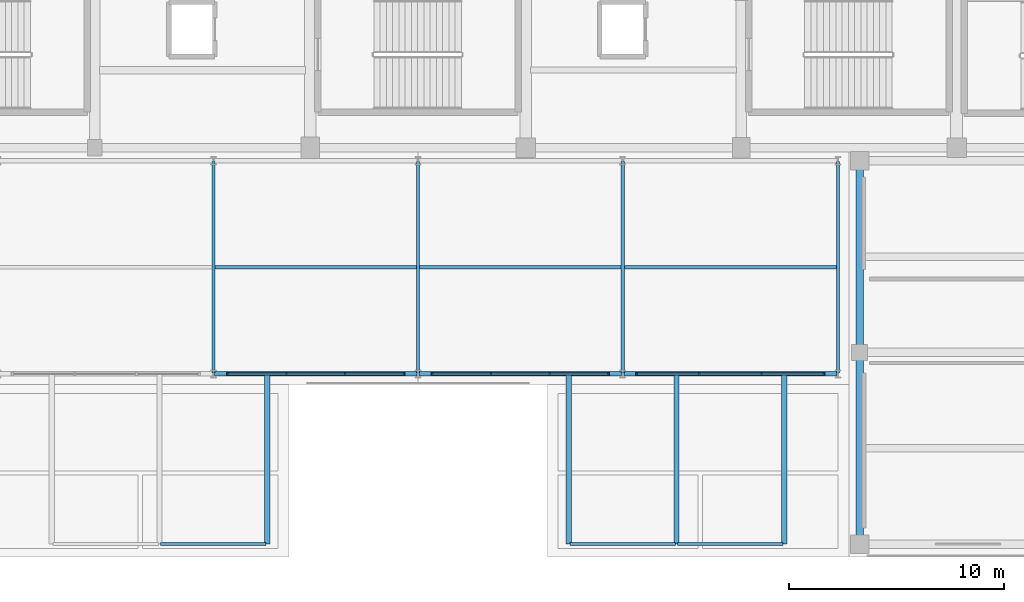
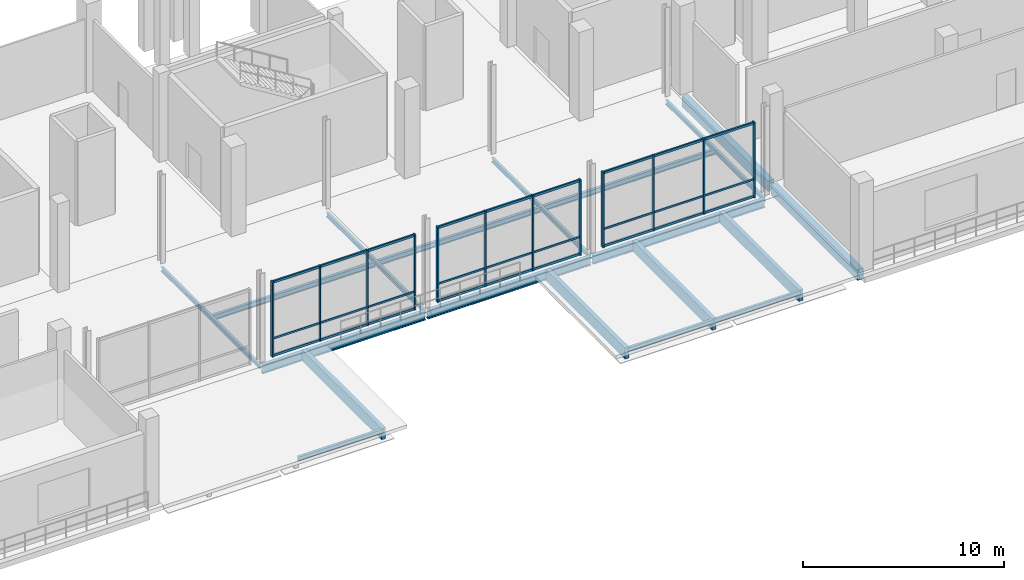
# One storey, part 23 of 114: 25 members, 15 beams, 3 elements without a shape of their own.
"""IFC4 building model written with IfcOpenShell, lengths in metres."""

from ifc_helpers import new_model, si_unit, direction, frame, origin, origin_2d, place, context, subcontext, project, spatial, rectangle, i_section, extrude, material, material_profile, profile_set, type_object, element, aggregate, save


model = new_model("IFC4")

# Units and contexts
model_context = context("Model", 3, precision=1e-05, world=origin(), true_north=direction((0.0, 1.0)))
body_context = subcontext(model_context, "Body", "Model", "MODEL_VIEW")
ifc_project = project(units=[si_unit("LENGTHUNIT", "METRE"), si_unit("AREAUNIT", "SQUARE_METRE"), si_unit("VOLUMEUNIT", "CUBIC_METRE"), si_unit("PLANEANGLEUNIT", "RADIAN"), si_unit("MASSUNIT", "GRAM", prefix="KILO")], contexts=[model_context])

# Site, building, storey
site_placement = place(None, origin())
site = spatial("IfcSite", under=ifc_project, at=site_placement, CompositionType="ELEMENT")
building_placement = place(site_placement, origin())
building = spatial("IfcBuilding", under=site, at=building_placement, Name="Candeia Ridge Stadium", CompositionType="ELEMENT")
storey_placement = place(building_placement, frame((0.0, 0.0, 5.39990234375)))
storey = spatial("IfcBuildingStorey", under=building, at=storey_placement, Name="L01", CompositionType="ELEMENT", Elevation=5.39990234375)

# Beams
ifc_material_1 = material(Name="Steel ASTM A572 Grade 50", Category="steel")
ifc_material_profile_1 = material_profile(ifc_material_1, i_section(OverallWidth=0.14794921875, OverallDepth=0.26611328125, WebThickness=0.007568359375, FlangeThickness=0.012939453125, FilletRadius=0.010986328125, at=origin_2d()), Name="W250x44.8", Category="steel")
ifc_profile_set_1 = profile_set([ifc_material_profile_1], Name="Steel ASTM A572 Grade 50")
beam_type_1 = type_object("IfcBeamType", Name="Canopy Edge Spandrel W250x44.8", PredefinedType="SPANDREL", material=ifc_profile_set_1)
for number, where, z_axis, x_axis, name in (
    (1, (96.5, 8.550048828125, -0.392822265625), (0.0, 1.0, 0.0), (-1.0, 0.0, 0.0), "Structural girder BM-L01-2019"),
    (2, (106.0, 8.550048828125, -0.392822265625), (0.0, 1.0, 0.0), (-1.0, 0.0, 0.0), "Structural girder BM-L01-2020"),
    (3, (115.5, 8.550048828125, -0.392822265625), (0.0, 1.0, 0.0), (-1.0, 0.0, 0.0), "Structural girder BM-L01-2021"),
    (4, (125.5, 8.550048828125, -0.392822265625), (0.0, 1.0, 0.0), (-1.0, 0.0, 0.0), "Structural girder BM-L01-2022"),
):
    element("IfcBeam", number, at=place(storey_placement, frame(where, z_axis=z_axis, x_axis=x_axis)), inside=storey, type_object=beam_type_1, Name=name, PredefinedType="SPANDREL", context=body_context, shape_type="SweptSolid", body=[
        extrude(i_section(OverallWidth=0.14794921875, OverallDepth=0.26611328125, WebThickness=0.007568359375, FlangeThickness=0.012939453125, FilletRadius=0.010986328125, at=origin_2d()), origin(), (0.0, 0.0, 1.0), 9.800048828125),
    ])
for number, where, z_axis, x_axis, name in (
    (5, (94.050048828125, 0.60009765625, -0.3330078125), (1.0, 0.0, 0.0), (0.0, 1.0, 0.0), "Structural girder BM-L01-2554"),
    (6, (113.050048828125, 0.60009765625, -0.3330078125), (1.0, 0.0, 0.0), (0.0, 1.0, 0.0), "Structural girder BM-L01-2555"),
    (7, (118.050048828125, 0.60009765625, -0.3330078125), (1.0, 0.0, 0.0), (0.0, 1.0, 0.0), "Structural girder BM-L01-2556"),
):
    element("IfcBeam", number, at=place(storey_placement, frame(where, z_axis=z_axis, x_axis=x_axis)), inside=storey, type_object=beam_type_1, Name=name, PredefinedType="SPANDREL", context=body_context, shape_type="SweptSolid", body=[
        extrude(i_section(OverallWidth=0.14794921875, OverallDepth=0.26611328125, WebThickness=0.007568359375, FlangeThickness=0.012939453125, FilletRadius=0.010986328125, at=origin_2d()), origin(), (0.0, 0.0, 1.0), 4.89990234375),
    ])

# Curtain wall, members
ifc_material_2 = material(Name="Aluminium Anodized Warm Bronze", Category="aluminium")
curtain_wall_type = type_object("IfcCurtainWallType", Name="Cardinal Entrance Gate Tall Glazed Curtain Wall", PredefinedType="NOTDEFINED", material=ifc_material_2)
curtain_wall_1_placement = place(storey_placement, origin())
curtain_wall_1 = element("IfcCurtainWall", 8, at=curtain_wall_1_placement, inside=storey, type_object=curtain_wall_type, Name="Unitised curtain wall CW-WNG-L01-118", PredefinedType="NOTDEFINED")
ifc_material_profile_2 = material_profile(ifc_material_2, rectangle(XDim=0.090087890625, YDim=0.179931640625, at=origin_2d()), Name="CWM-90x180", Category="aluminium")
ifc_profile_set_2 = profile_set([ifc_material_profile_2], Name="Aluminium Anodized Warm Bronze")
member_type_1 = type_object("IfcMemberType", Name="Curtain Wall Primary Mullion 90x180", PredefinedType="MULLION", material=ifc_profile_set_2)
member_1_placement = place(storey_placement, frame((97.159912109375, 8.5, 0.0), z_axis=(0.0, 0.0, 1.0), x_axis=(1.0, 0.0, 0.0)))
member_1 = element("IfcMember", 9, at=member_1_placement, type_object=member_type_1, Name="Curtain wall mullion CW-WNG-L01-118-M0", PredefinedType="MULLION", context=body_context, shape_type="SweptSolid", body=[
    extrude(rectangle(XDim=0.090087890625, YDim=0.179931640625, at=origin_2d()), origin(), (0.0, 0.0, 1.0), 4.592041015625),
])
member_2_placement = place(storey_placement, frame((105.340087890625, 8.5, 0.0), z_axis=(0.0, 0.0, 1.0), x_axis=(1.0, 0.0, 0.0)))
member_2 = element("IfcMember", 10, at=member_2_placement, type_object=member_type_1, Name="Curtain wall mullion CW-WNG-L01-118-M3", PredefinedType="MULLION", context=body_context, shape_type="SweptSolid", body=[
    extrude(rectangle(XDim=0.090087890625, YDim=0.179931640625, at=origin_2d()), origin(), (0.0, 0.0, 1.0), 4.592041015625),
])

curtain_wall_2_placement = place(storey_placement, origin())
curtain_wall_2 = element("IfcCurtainWall", 11, at=curtain_wall_2_placement, inside=storey, type_object=curtain_wall_type, Name="Unitised curtain wall CW-WNG-L01-119", PredefinedType="NOTDEFINED")
member_3_placement = place(storey_placement, frame((106.659912109375, 8.5, 0.0), z_axis=(0.0, 0.0, 1.0), x_axis=(1.0, 0.0, 0.0)))
member_3 = element("IfcMember", 12, at=member_3_placement, type_object=member_type_1, Name="Curtain wall mullion CW-WNG-L01-119-M0", PredefinedType="MULLION", context=body_context, shape_type="SweptSolid", body=[
    extrude(rectangle(XDim=0.090087890625, YDim=0.179931640625, at=origin_2d()), origin(), (0.0, 0.0, 1.0), 4.592041015625),
])
member_4_placement = place(storey_placement, frame((114.840087890625, 8.5, 0.0), z_axis=(0.0, 0.0, 1.0), x_axis=(1.0, 0.0, 0.0)))
member_4 = element("IfcMember", 13, at=member_4_placement, type_object=member_type_1, Name="Curtain wall mullion CW-WNG-L01-119-M3", PredefinedType="MULLION", context=body_context, shape_type="SweptSolid", body=[
    extrude(rectangle(XDim=0.090087890625, YDim=0.179931640625, at=origin_2d()), origin(), (0.0, 0.0, 1.0), 4.592041015625),
])

curtain_wall_3_placement = place(storey_placement, origin())
curtain_wall_3 = element("IfcCurtainWall", 14, at=curtain_wall_3_placement, inside=storey, type_object=curtain_wall_type, Name="Unitised curtain wall CW-WNG-L01-120", PredefinedType="NOTDEFINED")
member_5_placement = place(storey_placement, frame((116.159912109375, 8.5, 0.0), z_axis=(0.0, 0.0, 1.0), x_axis=(1.0, 0.0, 0.0)))
member_5 = element("IfcMember", 15, at=member_5_placement, type_object=member_type_1, Name="Curtain wall mullion CW-WNG-L01-120-M0", PredefinedType="MULLION", context=body_context, shape_type="SweptSolid", body=[
    extrude(rectangle(XDim=0.090087890625, YDim=0.179931640625, at=origin_2d()), origin(), (0.0, 0.0, 1.0), 4.592041015625),
])
member_6_placement = place(storey_placement, frame((124.840087890625, 8.5, 0.0), z_axis=(0.0, 0.0, 1.0), x_axis=(1.0, 0.0, 0.0)))
member_6 = element("IfcMember", 16, at=member_6_placement, type_object=member_type_1, Name="Curtain wall mullion CW-WNG-L01-120-M3", PredefinedType="MULLION", context=body_context, shape_type="SweptSolid", body=[
    extrude(rectangle(XDim=0.090087890625, YDim=0.179931640625, at=origin_2d()), origin(), (0.0, 0.0, 1.0), 4.592041015625),
])

# Member
ifc_material_profile_3 = material_profile(ifc_material_2, rectangle(XDim=0.074951171875, YDim=0.14990234375, at=origin_2d()), Name="CWM-75x150", Category="aluminium")
ifc_profile_set_3 = profile_set([ifc_material_profile_3], Name="Aluminium Anodized Warm Bronze")
member_type_2 = type_object("IfcMemberType", Name="Curtain Wall Secondary Mullion 75x150", PredefinedType="MULLION", material=ifc_profile_set_3)
member_7_placement = place(storey_placement, frame((99.88671875, 8.5, 0.0), z_axis=(0.0, 0.0, 1.0), x_axis=(1.0, 0.0, 0.0)))
member_7 = element("IfcMember", 17, at=member_7_placement, type_object=member_type_2, Name="Curtain wall mullion CW-WNG-L01-118-M1", PredefinedType="MULLION", context=body_context, shape_type="SweptSolid", body=[
    extrude(rectangle(XDim=0.074951171875, YDim=0.14990234375, at=origin_2d()), origin(), (0.0, 0.0, 1.0), 4.592041015625),
])

member_8_placement = place(storey_placement, frame((102.61328125, 8.5, 0.0), z_axis=(0.0, 0.0, 1.0), x_axis=(1.0, 0.0, 0.0)))
member_8 = element("IfcMember", 18, at=member_8_placement, type_object=member_type_2, Name="Curtain wall mullion CW-WNG-L01-118-M2", PredefinedType="MULLION", context=body_context, shape_type="SweptSolid", body=[
    extrude(rectangle(XDim=0.074951171875, YDim=0.14990234375, at=origin_2d()), origin(), (0.0, 0.0, 1.0), 4.592041015625),
])

member_9_placement = place(storey_placement, frame((109.38671875, 8.5, 0.0), z_axis=(0.0, 0.0, 1.0), x_axis=(1.0, 0.0, 0.0)))
member_9 = element("IfcMember", 19, at=member_9_placement, type_object=member_type_2, Name="Curtain wall mullion CW-WNG-L01-119-M1", PredefinedType="MULLION", context=body_context, shape_type="SweptSolid", body=[
    extrude(rectangle(XDim=0.074951171875, YDim=0.14990234375, at=origin_2d()), origin(), (0.0, 0.0, 1.0), 4.592041015625),
])

member_10_placement = place(storey_placement, frame((112.11328125, 8.5, 0.0), z_axis=(0.0, 0.0, 1.0), x_axis=(1.0, 0.0, 0.0)))
member_10 = element("IfcMember", 20, at=member_10_placement, type_object=member_type_2, Name="Curtain wall mullion CW-WNG-L01-119-M2", PredefinedType="MULLION", context=body_context, shape_type="SweptSolid", body=[
    extrude(rectangle(XDim=0.074951171875, YDim=0.14990234375, at=origin_2d()), origin(), (0.0, 0.0, 1.0), 4.592041015625),
])

member_11_placement = place(storey_placement, frame((119.05322265625, 8.5, 0.0), z_axis=(0.0, 0.0, 1.0), x_axis=(1.0, 0.0, 0.0)))
member_11 = element("IfcMember", 21, at=member_11_placement, type_object=member_type_2, Name="Curtain wall mullion CW-WNG-L01-120-M1", PredefinedType="MULLION", context=body_context, shape_type="SweptSolid", body=[
    extrude(rectangle(XDim=0.074951171875, YDim=0.14990234375, at=origin_2d()), origin(), (0.0, 0.0, 1.0), 4.592041015625),
])

member_12_placement = place(storey_placement, frame((121.94677734375, 8.5, 0.0), z_axis=(0.0, 0.0, 1.0), x_axis=(1.0, 0.0, 0.0)))
member_12 = element("IfcMember", 22, at=member_12_placement, type_object=member_type_2, Name="Curtain wall mullion CW-WNG-L01-120-M2", PredefinedType="MULLION", context=body_context, shape_type="SweptSolid", body=[
    extrude(rectangle(XDim=0.074951171875, YDim=0.14990234375, at=origin_2d()), origin(), (0.0, 0.0, 1.0), 4.592041015625),
])

ifc_material_profile_4 = material_profile(ifc_material_2, rectangle(XDim=0.074951171875, YDim=0.110107421875, at=origin_2d()), Name="CWT-75x110", Category="aluminium")
ifc_profile_set_4 = profile_set([ifc_material_profile_4], Name="Aluminium Anodized Warm Bronze")
member_type_3 = type_object("IfcMemberType", Name="Curtain Wall Secondary Transom 75x110", PredefinedType="USERDEFINED", material=ifc_profile_set_4)
member_13_placement = place(storey_placement, frame((97.159912109375, 8.5, 1.10009765625), z_axis=(1.0, 0.0, 0.0), x_axis=(0.0, 1.0, 0.0)))
member_13 = element("IfcMember", 23, at=member_13_placement, type_object=member_type_3, Name="Curtain wall transom CW-WNG-L01-118-T1", ObjectType="TRANSOM", PredefinedType="USERDEFINED", context=body_context, shape_type="SweptSolid", body=[
    extrude(rectangle(XDim=0.074951171875, YDim=0.110107421875, at=origin_2d()), origin(), (0.0, 0.0, 1.0), 8.18017578125),
])

member_14_placement = place(storey_placement, frame((106.659912109375, 8.5, 1.10009765625), z_axis=(1.0, 0.0, 0.0), x_axis=(0.0, 1.0, 0.0)))
member_14 = element("IfcMember", 24, at=member_14_placement, type_object=member_type_3, Name="Curtain wall transom CW-WNG-L01-119-T1", ObjectType="TRANSOM", PredefinedType="USERDEFINED", context=body_context, shape_type="SweptSolid", body=[
    extrude(rectangle(XDim=0.074951171875, YDim=0.110107421875, at=origin_2d()), origin(), (0.0, 0.0, 1.0), 8.18017578125),
])

member_15_placement = place(storey_placement, frame((116.159912109375, 8.5, 1.10009765625), z_axis=(1.0, 0.0, 0.0), x_axis=(0.0, 1.0, 0.0)))
member_15 = element("IfcMember", 25, at=member_15_placement, type_object=member_type_3, Name="Curtain wall transom CW-WNG-L01-120-T1", ObjectType="TRANSOM", PredefinedType="USERDEFINED", context=body_context, shape_type="SweptSolid", body=[
    extrude(rectangle(XDim=0.074951171875, YDim=0.110107421875, at=origin_2d()), origin(), (0.0, 0.0, 1.0), 8.68017578125),
])

ifc_material_profile_5 = material_profile(ifc_material_2, rectangle(XDim=0.090087890625, YDim=0.139892578125, at=origin_2d()), Name="CWT-90x140", Category="aluminium")
ifc_profile_set_5 = profile_set([ifc_material_profile_5], Name="Aluminium Anodized Warm Bronze")
member_type_4 = type_object("IfcMemberType", Name="Curtain Wall Transom 90x140", PredefinedType="USERDEFINED", material=ifc_profile_set_5)
member_16_placement = place(storey_placement, frame((97.159912109375, 8.5, 0.070068359375), z_axis=(1.0, 0.0, 0.0), x_axis=(0.0, 1.0, 0.0)))
member_16 = element("IfcMember", 26, at=member_16_placement, type_object=member_type_4, Name="Curtain wall transom CW-WNG-L01-118-T0", ObjectType="TRANSOM", PredefinedType="USERDEFINED", context=body_context, shape_type="SweptSolid", body=[
    extrude(rectangle(XDim=0.090087890625, YDim=0.139892578125, at=origin_2d()), origin(), (0.0, 0.0, 1.0), 8.18017578125),
])

member_17_placement = place(storey_placement, frame((97.159912109375, 8.5, 4.522216796875), z_axis=(1.0, 0.0, 0.0), x_axis=(0.0, 1.0, 0.0)))
member_17 = element("IfcMember", 27, at=member_17_placement, type_object=member_type_4, Name="Curtain wall transom CW-WNG-L01-118-T2", ObjectType="TRANSOM", PredefinedType="USERDEFINED", context=body_context, shape_type="SweptSolid", body=[
    extrude(rectangle(XDim=0.090087890625, YDim=0.139892578125, at=origin_2d()), origin(), (0.0, 0.0, 1.0), 8.18017578125),
])

aggregate(curtain_wall_1, [member_1, member_7, member_8, member_2, member_16, member_13, member_17])

member_18_placement = place(storey_placement, frame((106.659912109375, 8.5, 0.070068359375), z_axis=(1.0, 0.0, 0.0), x_axis=(0.0, 1.0, 0.0)))
member_18 = element("IfcMember", 28, at=member_18_placement, type_object=member_type_4, Name="Curtain wall transom CW-WNG-L01-119-T0", ObjectType="TRANSOM", PredefinedType="USERDEFINED", context=body_context, shape_type="SweptSolid", body=[
    extrude(rectangle(XDim=0.090087890625, YDim=0.139892578125, at=origin_2d()), origin(), (0.0, 0.0, 1.0), 8.18017578125),
])

member_19_placement = place(storey_placement, frame((106.659912109375, 8.5, 4.522216796875), z_axis=(1.0, 0.0, 0.0), x_axis=(0.0, 1.0, 0.0)))
member_19 = element("IfcMember", 29, at=member_19_placement, type_object=member_type_4, Name="Curtain wall transom CW-WNG-L01-119-T2", ObjectType="TRANSOM", PredefinedType="USERDEFINED", context=body_context, shape_type="SweptSolid", body=[
    extrude(rectangle(XDim=0.090087890625, YDim=0.139892578125, at=origin_2d()), origin(), (0.0, 0.0, 1.0), 8.18017578125),
])

aggregate(curtain_wall_2, [member_3, member_9, member_10, member_4, member_18, member_14, member_19])

member_20_placement = place(storey_placement, frame((116.159912109375, 8.5, 0.070068359375), z_axis=(1.0, 0.0, 0.0), x_axis=(0.0, 1.0, 0.0)))
member_20 = element("IfcMember", 30, at=member_20_placement, type_object=member_type_4, Name="Curtain wall transom CW-WNG-L01-120-T0", ObjectType="TRANSOM", PredefinedType="USERDEFINED", context=body_context, shape_type="SweptSolid", body=[
    extrude(rectangle(XDim=0.090087890625, YDim=0.139892578125, at=origin_2d()), origin(), (0.0, 0.0, 1.0), 8.68017578125),
])

member_21_placement = place(storey_placement, frame((116.159912109375, 8.5, 4.522216796875), z_axis=(1.0, 0.0, 0.0), x_axis=(0.0, 1.0, 0.0)))
member_21 = element("IfcMember", 31, at=member_21_placement, type_object=member_type_4, Name="Curtain wall transom CW-WNG-L01-120-T2", ObjectType="TRANSOM", PredefinedType="USERDEFINED", context=body_context, shape_type="SweptSolid", body=[
    extrude(rectangle(XDim=0.090087890625, YDim=0.139892578125, at=origin_2d()), origin(), (0.0, 0.0, 1.0), 8.68017578125),
])

aggregate(curtain_wall_3, [member_5, member_11, member_12, member_6, member_20, member_15, member_21])

# Beams
ifc_material_profile_6 = material_profile(ifc_material_1, i_section(OverallWidth=0.208984375, OverallDepth=0.532958984375, WebThickness=0.01025390625, FlangeThickness=0.015625, FilletRadius=0.013916015625, at=origin_2d()), Name="W530x92", Category="steel")
ifc_profile_set_6 = profile_set([ifc_material_profile_6], Name="Steel ASTM A572 Grade 50")
beam_type_2 = type_object("IfcBeamType", Name="Gate Portal Girder W530x92", PredefinedType="BEAM", material=ifc_profile_set_6)
for number, where, z_axis, x_axis, name in (
    (32, (96.550048828125, 8.5, -0.5263671875), (1.0, 0.0, 0.0), (0.0, 1.0, 0.0), "Structural girder BM-L01-2026"),
    (33, (106.050048828125, 8.5, -0.5263671875), (1.0, 0.0, 0.0), (0.0, 1.0, 0.0), "Structural girder BM-L01-2029"),
):
    element("IfcBeam", number, at=place(storey_placement, frame(where, z_axis=z_axis, x_axis=x_axis)), inside=storey, type_object=beam_type_2, Name=name, PredefinedType="BEAM", context=body_context, shape_type="SweptSolid", body=[
        extrude(i_section(OverallWidth=0.208984375, OverallDepth=0.532958984375, WebThickness=0.01025390625, FlangeThickness=0.015625, FilletRadius=0.013916015625, at=origin_2d()), origin(), (0.0, 0.0, 1.0), 9.39990234375),
    ])
beam_1_placement = place(storey_placement, frame((115.550048828125, 8.5, -0.5263671875), z_axis=(1.0, 0.0, 0.0), x_axis=(0.0, 1.0, 0.0)))
element("IfcBeam", 34, at=beam_1_placement, inside=storey, type_object=beam_type_2, Name="Structural girder BM-L01-2032", PredefinedType="BEAM", context=body_context, shape_type="SweptSolid", body=[
    extrude(i_section(OverallWidth=0.208984375, OverallDepth=0.532958984375, WebThickness=0.01025390625, FlangeThickness=0.015625, FilletRadius=0.013916015625, at=origin_2d()), origin(), (0.0, 0.0, 1.0), 9.89990234375),
])
ifc_material_profile_7 = material_profile(ifc_material_1, i_section(OverallWidth=0.1669921875, OverallDepth=0.31689453125, WebThickness=0.007568359375, FlangeThickness=0.01318359375, FilletRadius=0.011962890625, at=origin_2d()), Name="W310x52", Category="steel")
ifc_profile_set_7 = profile_set([ifc_material_profile_7], Name="Steel ASTM A572 Grade 50")
beam_type_3 = type_object("IfcBeamType", Name="Pavilion Secondary Joist W310x52", PredefinedType="JOIST", material=ifc_profile_set_7)
for number, where, z_axis, x_axis, name in (
    (35, (96.573486328125, 13.449951171875, -0.41845703125), (1.0, 0.0, 0.0), (0.0, 1.0, 0.0), "Wing secondary joist BM-L01-2027"),
    (36, (106.073486328125, 13.449951171875, -0.41845703125), (1.0, 0.0, 0.0), (0.0, 1.0, 0.0), "Wing secondary joist BM-L01-2030"),
):
    element("IfcBeam", number, at=place(storey_placement, frame(where, z_axis=z_axis, x_axis=x_axis)), inside=storey, type_object=beam_type_3, Name=name, PredefinedType="JOIST", context=body_context, shape_type="SweptSolid", body=[
        extrude(i_section(OverallWidth=0.1669921875, OverallDepth=0.31689453125, WebThickness=0.007568359375, FlangeThickness=0.01318359375, FilletRadius=0.011962890625, at=origin_2d()), origin(), (0.0, 0.0, 1.0), 9.35302734375),
    ])
beam_2_placement = place(storey_placement, frame((115.573486328125, 13.449951171875, -0.41845703125), z_axis=(1.0, 0.0, 0.0), x_axis=(0.0, 1.0, 0.0)))
element("IfcBeam", 37, at=beam_2_placement, inside=storey, type_object=beam_type_3, Name="Wing secondary joist BM-L01-2033", PredefinedType="JOIST", context=body_context, shape_type="SweptSolid", body=[
    extrude(i_section(OverallWidth=0.1669921875, OverallDepth=0.31689453125, WebThickness=0.007568359375, FlangeThickness=0.01318359375, FilletRadius=0.011962890625, at=origin_2d()), origin(), (0.0, 0.0, 1.0), 9.85302734375),
])

# Members
ifc_material_3 = material(Name="Glulam GL28h", Category="wood")
ifc_material_profile_8 = material_profile(ifc_material_3, rectangle(XDim=0.239990234375, YDim=0.679931640625, at=origin_2d()), Name="GL240x680", Category="wood")
ifc_profile_set_8 = profile_set([ifc_material_profile_8], Name="Glulam GL28h")
member_type_5 = type_object("IfcMemberType", Name="Rain Passage Glulam Rafter GL240x680", PredefinedType="RAFTER", material=ifc_profile_set_8)
for number, where, z_axis, x_axis, name in (
    (38, (99.0, 0.60009765625, -0.539794921875), (0.0, 1.0, 0.0), (-1.0, 0.0, 0.0), "Douglas-fir glulam rain-passage rafter RAF-RP-03"),
    (39, (113.0, 0.60009765625, -0.539794921875), (0.0, 1.0, 0.0), (-1.0, 0.0, 0.0), "Douglas-fir glulam rain-passage rafter RAF-RP-04"),
    (40, (118.0, 0.60009765625, -0.539794921875), (0.0, 1.0, 0.0), (-1.0, 0.0, 0.0), "Douglas-fir glulam rain-passage rafter RAF-RP-05"),
    (41, (123.0, 0.60009765625, -0.539794921875), (0.0, 1.0, 0.0), (-1.0, 0.0, 0.0), "Douglas-fir glulam rain-passage rafter RAF-RP-06"),
):
    element("IfcMember", number, at=place(storey_placement, frame(where, z_axis=z_axis, x_axis=x_axis)), inside=storey, type_object=member_type_5, Name=name, PredefinedType="RAFTER", context=body_context, shape_type="SweptSolid", body=[
        extrude(rectangle(XDim=0.239990234375, YDim=0.679931640625, at=origin_2d()), origin(), (0.0, 0.0, 1.0), 7.89990234375),
    ])

# Beams
ifc_material_4 = material(Name="Concrete C40/50", Category="concrete")
ifc_material_profile_9 = material_profile(ifc_material_4, rectangle(XDim=0.35009765625, YDim=0.64990234375, at=origin_2d()), Name="RC350x650", Category="concrete")
ifc_profile_set_9 = profile_set([ifc_material_profile_9], Name="Concrete C40/50")
beam_type_4 = type_object("IfcBeamType", Name="Spandrel Beam RC350x650", PredefinedType="SPANDREL", material=ifc_profile_set_9)
for number, where, z_axis, x_axis, name in (
    (42, (126.5, 0.760009765625, -0.5849609375), (0.0, 1.0, 0.0), (-1.0, 0.0, 0.0), "Structural girder BM-L01-1978"),
    (43, (126.5, 9.659912109375, -0.5849609375), (0.0, 1.0, 0.0), (-1.0, 0.0, 0.0), "Structural girder BM-L01-1979"),
):
    element("IfcBeam", number, at=place(storey_placement, frame(where, z_axis=z_axis, x_axis=x_axis)), inside=storey, type_object=beam_type_4, Name=name, PredefinedType="SPANDREL", context=body_context, shape_type="SweptSolid", body=[
        extrude(rectangle(XDim=0.35009765625, YDim=0.64990234375, at=origin_2d()), origin(), (0.0, 0.0, 1.0), 8.580078125),
    ])

save(model, "model.ifc")
